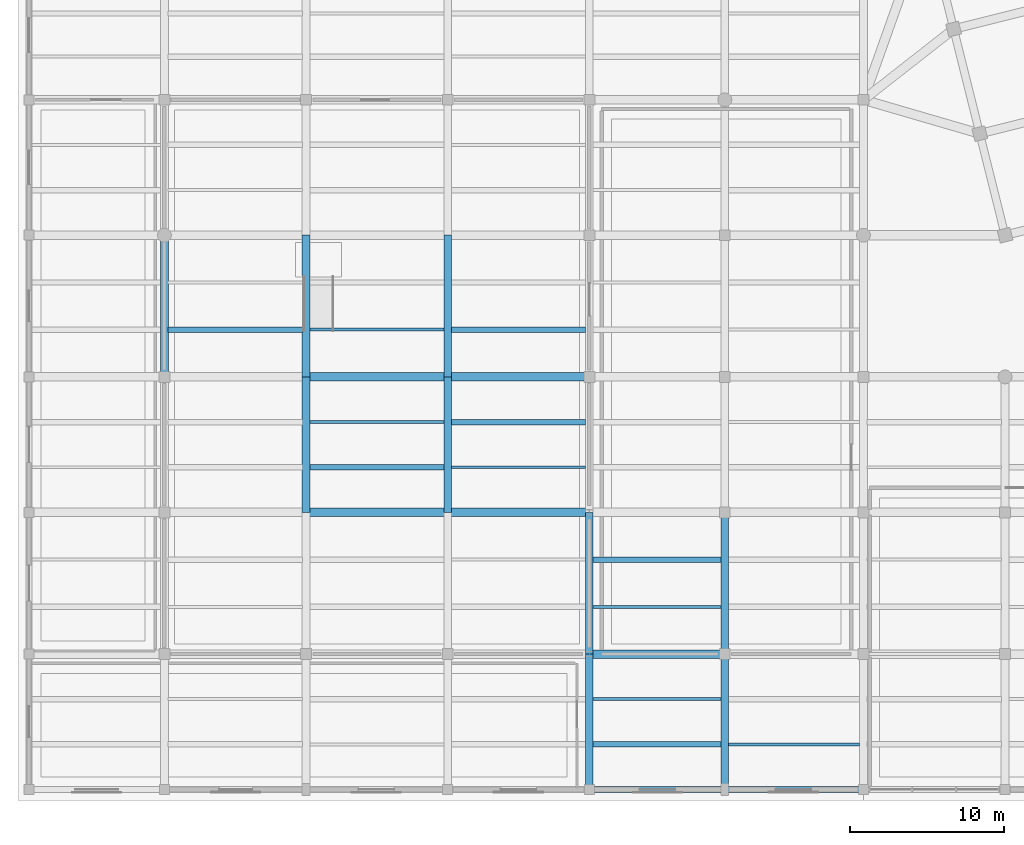
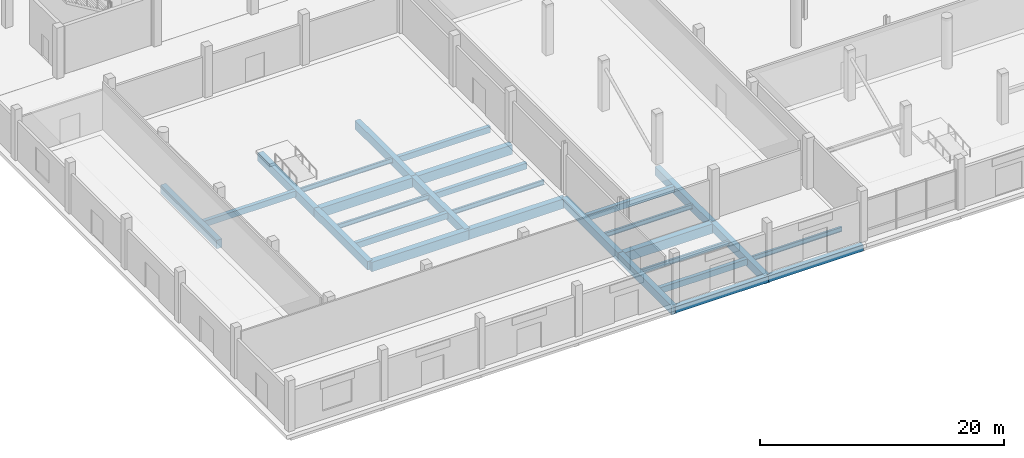
# One storey, part 7 of 73: 28 beams.
"""IFC4 building model written with IfcOpenShell, lengths in metres."""

from ifc_helpers import new_model, si_unit, direction, frame, origin, origin_2d, place, context, subcontext, project, spatial, rectangle, i_section, extrude, material, material_profile, profile_set, type_object, element, save


model = new_model("IFC4")

# Units and contexts
model_context = context("Model", 3, precision=1e-05, world=origin(), true_north=direction((0.0, 1.0)))
body_context = subcontext(model_context, "Body", "Model", "MODEL_VIEW")
ifc_project = project(units=[si_unit("LENGTHUNIT", "METRE"), si_unit("AREAUNIT", "SQUARE_METRE"), si_unit("VOLUMEUNIT", "CUBIC_METRE"), si_unit("PLANEANGLEUNIT", "RADIAN"), si_unit("MASSUNIT", "GRAM", prefix="KILO")], contexts=[model_context])

# Site, building, storey
site_placement = place(None, origin())
site = spatial("IfcSite", under=ifc_project, at=site_placement, CompositionType="ELEMENT")
building_placement = place(site_placement, origin())
building = spatial("IfcBuilding", under=site, at=building_placement, Name="Meriwether Solvik Hall", CompositionType="ELEMENT")
storey_placement = place(building_placement, origin())
storey = spatial("IfcBuildingStorey", under=building, at=storey_placement, Name="L00", CompositionType="ELEMENT", Elevation=0.0)

# Beams
ifc_material_1 = material(Name="Concrete C40/50", Category="concrete")
ifc_material_profile_1 = material_profile(ifc_material_1, rectangle(XDim=0.35009765625, YDim=0.60009765625, at=origin_2d()), Name="RCB-350X600")
ifc_profile_set_1 = profile_set([ifc_material_profile_1], Name="Concrete C40/50")
beam_type_1 = type_object("IfcBeamType", Name="BM-RC-350X600", PredefinedType="JOIST", material=ifc_profile_set_1)
for number, where, z_axis, x_axis, name in (
    (1, (14.2451171875, 35.066650390625, -0.659912109375), (1.0, 0.0, 0.0), (0.0, 1.0, 0.0), "Secondary Floor Joist 2/D_J1 (L00)"),
    (2, (23.445068359375, 26.13330078125, -0.659912109375), (1.0, 0.0, 0.0), (0.0, 1.0, 0.0), "Secondary Floor Joist 3/C_J1 (L00)"),
    (3, (32.64501953125, 29.066650390625, -0.659912109375), (1.0, 0.0, 0.0), (0.0, 1.0, 0.0), "Secondary Floor Joist 4/C_J2 (L00)"),
    (4, (32.64501953125, 35.066650390625, -0.659912109375), (1.0, 0.0, 0.0), (0.0, 1.0, 0.0), "Secondary Floor Joist 4/D_J1 (L00)"),
):
    element("IfcBeam", number, at=place(storey_placement, frame(where, z_axis=z_axis, x_axis=x_axis)), inside=storey, type_object=beam_type_1, Name=name, PredefinedType="JOIST", context=body_context, shape_type="SweptSolid", body=[
        extrude(rectangle(XDim=0.35009765625, YDim=0.60009765625, at=origin_2d()), origin(), (0.0, 0.0, 1.0), 8.7099609375),
    ])
for number, where, z_axis, x_axis, name in (
    (5, (41.844970703125, 8.13330078125, -0.659912109375), (1.0, 0.0, 0.0), (0.0, 1.0, 0.0), "Secondary Floor Joist 5/A_J1 (L00)"),
    (6, (41.844970703125, 20.13330078125, -0.659912109375), (1.0, 0.0, 0.0), (0.0, 1.0, 0.0), "Secondary Floor Joist 5/B_J2 (L00)"),
):
    element("IfcBeam", number, at=place(storey_placement, frame(where, z_axis=z_axis, x_axis=x_axis)), inside=storey, type_object=beam_type_1, Name=name, PredefinedType="JOIST", context=body_context, shape_type="SweptSolid", body=[
        extrude(rectangle(XDim=0.35009765625, YDim=0.60009765625, at=origin_2d()), origin(), (0.0, 0.0, 1.0), 8.31005859375),
    ])
ifc_material_2 = material(Name="Concrete C40/50", Category="concrete")
ifc_material_profile_2 = material_profile(ifc_material_2, rectangle(XDim=0.39990234375, YDim=0.64990234375, at=origin_2d()), Name="RCB-400X650")
ifc_profile_set_2 = profile_set([ifc_material_profile_2], Name="Concrete C40/50")
beam_type_2 = type_object("IfcBeamType", Name="BM-RC-400X650", PredefinedType="SPANDREL", material=ifc_profile_set_2)
beam_1_placement = place(storey_placement, frame((41.60009765625, 5.199951171875, -0.68505859375), z_axis=(1.0, 0.0, 0.0), x_axis=(0.0, 1.0, 0.0)))
element("IfcBeam", 7, at=beam_1_placement, inside=storey, type_object=beam_type_2, Name="Podium Girder A:5-6 (L00)", PredefinedType="SPANDREL", context=body_context, shape_type="SweptSolid", body=[
    extrude(rectangle(XDim=0.39990234375, YDim=0.64990234375, at=origin_2d()), origin(), (0.0, 0.0, 1.0), 8.7998046875),
])
beam_2_placement = place(storey_placement, frame((50.39990234375, 5.199951171875, -0.68505859375), z_axis=(1.0, 0.0, 0.0), x_axis=(0.0, 1.0, 0.0)))
element("IfcBeam", 8, at=beam_2_placement, inside=storey, type_object=beam_type_2, Name="Podium Girder A:6-7 (L00)", PredefinedType="SPANDREL", context=body_context, shape_type="SweptSolid", body=[
    extrude(rectangle(XDim=0.39990234375, YDim=0.64990234375, at=origin_2d()), origin(), (0.0, 0.0, 1.0), 9.0),
])
ifc_material_3 = material(Name="Concrete C40/50", Category="concrete")
ifc_material_profile_3 = material_profile(ifc_material_3, rectangle(XDim=0.5, YDim=0.85009765625, at=origin_2d()), Name="RCB-500X850")
ifc_profile_set_3 = profile_set([ifc_material_profile_3], Name="Concrete C40/50")
beam_type_3 = type_object("IfcBeamType", Name="BM-RC-500X850", PredefinedType="BEAM", material=ifc_profile_set_3)
beam_3_placement = place(storey_placement, frame((14.0, 32.0, -0.784912109375), z_axis=(0.0, 1.0, 0.0), x_axis=(-1.0, 0.0, 0.0)))
element("IfcBeam", 9, at=beam_3_placement, inside=storey, type_object=beam_type_3, Name="Podium Girder 2:D-E (L00)", PredefinedType="BEAM", context=body_context, shape_type="SweptSolid", body=[
    extrude(rectangle(XDim=0.5, YDim=0.85009765625, at=origin_2d()), origin(), (0.0, 0.0, 1.0), 9.199951171875),
])
beam_4_placement = place(storey_placement, frame((23.199951171875, 23.199951171875, -0.784912109375), z_axis=(0.0, 1.0, 0.0), x_axis=(-1.0, 0.0, 0.0)))
element("IfcBeam", 10, at=beam_4_placement, inside=storey, type_object=beam_type_3, Name="Podium Girder 3:C-D (L00)", PredefinedType="BEAM", context=body_context, shape_type="SweptSolid", body=[
    extrude(rectangle(XDim=0.5, YDim=0.85009765625, at=origin_2d()), origin(), (0.0, 0.0, 1.0), 8.800048828125),
])
beam_5_placement = place(storey_placement, frame((23.199951171875, 32.0, -0.784912109375), z_axis=(0.0, 1.0, 0.0), x_axis=(-1.0, 0.0, 0.0)))
element("IfcBeam", 11, at=beam_5_placement, inside=storey, type_object=beam_type_3, Name="Podium Girder 3:D-E (L00)", PredefinedType="BEAM", context=body_context, shape_type="SweptSolid", body=[
    extrude(rectangle(XDim=0.5, YDim=0.85009765625, at=origin_2d()), origin(), (0.0, 0.0, 1.0), 9.199951171875),
])
beam_6_placement = place(storey_placement, frame((32.39990234375, 23.199951171875, -0.784912109375), z_axis=(0.0, 1.0, 0.0), x_axis=(-1.0, 0.0, 0.0)))
element("IfcBeam", 12, at=beam_6_placement, inside=storey, type_object=beam_type_3, Name="Podium Girder 4:C-D (L00)", PredefinedType="BEAM", context=body_context, shape_type="SweptSolid", body=[
    extrude(rectangle(XDim=0.5, YDim=0.85009765625, at=origin_2d()), origin(), (0.0, 0.0, 1.0), 8.800048828125),
])
beam_7_placement = place(storey_placement, frame((32.39990234375, 32.0, -0.784912109375), z_axis=(0.0, 1.0, 0.0), x_axis=(-1.0, 0.0, 0.0)))
element("IfcBeam", 13, at=beam_7_placement, inside=storey, type_object=beam_type_3, Name="Podium Girder 4:D-E (L00)", PredefinedType="BEAM", context=body_context, shape_type="SweptSolid", body=[
    extrude(rectangle(XDim=0.5, YDim=0.85009765625, at=origin_2d()), origin(), (0.0, 0.0, 1.0), 9.199951171875),
])
beam_8_placement = place(storey_placement, frame((41.60009765625, 5.199951171875, -0.784912109375), z_axis=(0.0, 1.0, 0.0), x_axis=(-1.0, 0.0, 0.0)))
element("IfcBeam", 14, at=beam_8_placement, inside=storey, type_object=beam_type_3, Name="Podium Girder 5:A-B (L00)", PredefinedType="BEAM", context=body_context, shape_type="SweptSolid", body=[
    extrude(rectangle(XDim=0.5, YDim=0.85009765625, at=origin_2d()), origin(), (0.0, 0.0, 1.0), 8.800048828125),
])
beam_9_placement = place(storey_placement, frame((41.60009765625, 14.0, -0.784912109375), z_axis=(0.0, 1.0, 0.0), x_axis=(-1.0, 0.0, 0.0)))
element("IfcBeam", 15, at=beam_9_placement, inside=storey, type_object=beam_type_3, Name="Podium Girder 5:B-C (L00)", PredefinedType="BEAM", context=body_context, shape_type="SweptSolid", body=[
    extrude(rectangle(XDim=0.5, YDim=0.85009765625, at=origin_2d()), origin(), (0.0, 0.0, 1.0), 9.199951171875),
])
beam_10_placement = place(storey_placement, frame((50.39990234375, 5.199951171875, -0.784912109375), z_axis=(0.0, 1.0, 0.0), x_axis=(-1.0, 0.0, 0.0)))
element("IfcBeam", 16, at=beam_10_placement, inside=storey, type_object=beam_type_3, Name="Podium Girder 6:A-B (L00)", PredefinedType="BEAM", context=body_context, shape_type="SweptSolid", body=[
    extrude(rectangle(XDim=0.5, YDim=0.85009765625, at=origin_2d()), origin(), (0.0, 0.0, 1.0), 8.800048828125),
])
beam_11_placement = place(storey_placement, frame((50.39990234375, 14.0, -0.784912109375), z_axis=(0.0, 1.0, 0.0), x_axis=(-1.0, 0.0, 0.0)))
element("IfcBeam", 17, at=beam_11_placement, inside=storey, type_object=beam_type_3, Name="Podium Girder 6:B-C (L00)", PredefinedType="BEAM", context=body_context, shape_type="SweptSolid", body=[
    extrude(rectangle(XDim=0.5, YDim=0.85009765625, at=origin_2d()), origin(), (0.0, 0.0, 1.0), 9.199951171875),
])
ifc_material_4 = material(Name="Concrete C40/50", Category="concrete")
ifc_material_profile_4 = material_profile(ifc_material_4, rectangle(XDim=0.550048828125, YDim=0.949951171875, at=origin_2d()), Name="RCB-550X950")
ifc_profile_set_4 = profile_set([ifc_material_profile_4], Name="Concrete C40/50")
beam_type_4 = type_object("IfcBeamType", Name="BM-RC-550X950", PredefinedType="BEAM", material=ifc_profile_set_4)
beam_12_placement = place(storey_placement, frame((41.60009765625, 14.0, -0.8349609375), z_axis=(1.0, 0.0, 0.0), x_axis=(0.0, 1.0, 0.0)))
element("IfcBeam", 18, at=beam_12_placement, inside=storey, type_object=beam_type_4, Name="Podium Girder B:5-6 (L00)", PredefinedType="BEAM", context=body_context, shape_type="SweptSolid", body=[
    extrude(rectangle(XDim=0.550048828125, YDim=0.949951171875, at=origin_2d()), origin(), (0.0, 0.0, 1.0), 8.7998046875),
])
beam_13_placement = place(storey_placement, frame((23.199951171875, 23.199951171875, -0.8349609375), z_axis=(1.0, 0.0, 0.0), x_axis=(0.0, 1.0, 0.0)))
element("IfcBeam", 19, at=beam_13_placement, inside=storey, type_object=beam_type_4, Name="Podium Girder C:3-4 (L00)", PredefinedType="BEAM", context=body_context, shape_type="SweptSolid", body=[
    extrude(rectangle(XDim=0.550048828125, YDim=0.949951171875, at=origin_2d()), origin(), (0.0, 0.0, 1.0), 9.199951171875),
])
beam_14_placement = place(storey_placement, frame((32.39990234375, 23.199951171875, -0.8349609375), z_axis=(1.0, 0.0, 0.0), x_axis=(0.0, 1.0, 0.0)))
element("IfcBeam", 20, at=beam_14_placement, inside=storey, type_object=beam_type_4, Name="Podium Girder C:4-5 (L00)", PredefinedType="BEAM", context=body_context, shape_type="SweptSolid", body=[
    extrude(rectangle(XDim=0.550048828125, YDim=0.949951171875, at=origin_2d()), origin(), (0.0, 0.0, 1.0), 9.2001953125),
])
beam_15_placement = place(storey_placement, frame((23.199951171875, 32.0, -0.8349609375), z_axis=(1.0, 0.0, 0.0), x_axis=(0.0, 1.0, 0.0)))
element("IfcBeam", 21, at=beam_15_placement, inside=storey, type_object=beam_type_4, Name="Podium Girder D:3-4 (L00)", PredefinedType="BEAM", context=body_context, shape_type="SweptSolid", body=[
    extrude(rectangle(XDim=0.550048828125, YDim=0.949951171875, at=origin_2d()), origin(), (0.0, 0.0, 1.0), 9.199951171875),
])
beam_16_placement = place(storey_placement, frame((32.39990234375, 32.0, -0.8349609375), z_axis=(1.0, 0.0, 0.0), x_axis=(0.0, 1.0, 0.0)))
element("IfcBeam", 22, at=beam_16_placement, inside=storey, type_object=beam_type_4, Name="Podium Girder D:4-5 (L00)", PredefinedType="BEAM", context=body_context, shape_type="SweptSolid", body=[
    extrude(rectangle(XDim=0.550048828125, YDim=0.949951171875, at=origin_2d()), origin(), (0.0, 0.0, 1.0), 9.2001953125),
])
ifc_material_5 = material(Name="Steel A992 Grade 50", Category="steel")
ifc_material_profile_5 = material_profile(ifc_material_5, i_section(OverallWidth=0.19091796875, OverallDepth=0.45703125, WebThickness=0.009033203125, FlangeThickness=0.014404296875, at=origin_2d()), Name="W18X50")
ifc_profile_set_5 = profile_set([ifc_material_profile_5], Name="Steel A992 Grade 50")
beam_type_5 = type_object("IfcBeamType", Name="BM-STL-W18X50", PredefinedType="JOIST", material=ifc_profile_set_5)
for number, where, z_axis, x_axis, name in (
    (23, (23.445068359375, 29.066650390625, -0.58837890625), (1.0, 0.0, 0.0), (0.0, 1.0, 0.0), "Secondary Floor Joist 3/C_J2 (L00)"),
    (24, (23.445068359375, 35.066650390625, -0.58837890625), (1.0, 0.0, 0.0), (0.0, 1.0, 0.0), "Secondary Floor Joist 3/D_J1 (L00)"),
    (25, (32.64501953125, 26.13330078125, -0.58837890625), (1.0, 0.0, 0.0), (0.0, 1.0, 0.0), "Secondary Floor Joist 4/C_J1 (L00)"),
):
    element("IfcBeam", number, at=place(storey_placement, frame(where, z_axis=z_axis, x_axis=x_axis)), inside=storey, type_object=beam_type_5, Name=name, PredefinedType="JOIST", context=body_context, shape_type="SweptSolid", body=[
        extrude(i_section(OverallWidth=0.19091796875, OverallDepth=0.45703125, WebThickness=0.009033203125, FlangeThickness=0.014404296875, at=origin_2d()), origin(), (0.0, 0.0, 1.0), 8.7099609375),
    ])
for number, where, z_axis, x_axis, name in (
    (26, (41.844970703125, 11.066650390625, -0.58837890625), (1.0, 0.0, 0.0), (0.0, 1.0, 0.0), "Secondary Floor Joist 5/A_J2 (L00)"),
    (27, (41.844970703125, 17.066650390625, -0.58837890625), (1.0, 0.0, 0.0), (0.0, 1.0, 0.0), "Secondary Floor Joist 5/B_J1 (L00)"),
):
    element("IfcBeam", number, at=place(storey_placement, frame(where, z_axis=z_axis, x_axis=x_axis)), inside=storey, type_object=beam_type_5, Name=name, PredefinedType="JOIST", context=body_context, shape_type="SweptSolid", body=[
        extrude(i_section(OverallWidth=0.19091796875, OverallDepth=0.45703125, WebThickness=0.009033203125, FlangeThickness=0.014404296875, at=origin_2d()), origin(), (0.0, 0.0, 1.0), 8.31005859375),
    ])
beam_17_placement = place(storey_placement, frame((50.64501953125, 8.13330078125, -0.58837890625), z_axis=(1.0, 0.0, 0.0), x_axis=(0.0, 1.0, 0.0)))
element("IfcBeam", 28, at=beam_17_placement, inside=storey, type_object=beam_type_5, Name="Secondary Floor Joist 6/A_J1 (L00)", PredefinedType="JOIST", context=body_context, shape_type="SweptSolid", body=[
    extrude(i_section(OverallWidth=0.19091796875, OverallDepth=0.45703125, WebThickness=0.009033203125, FlangeThickness=0.014404296875, at=origin_2d()), origin(), (0.0, 0.0, 1.0), 8.510009765625),
])

save(model, "model.ifc")
